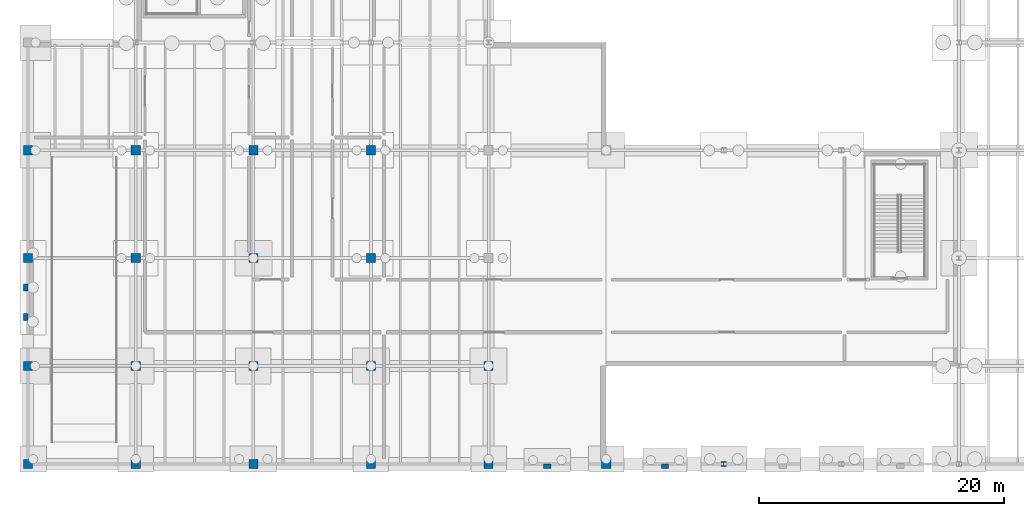
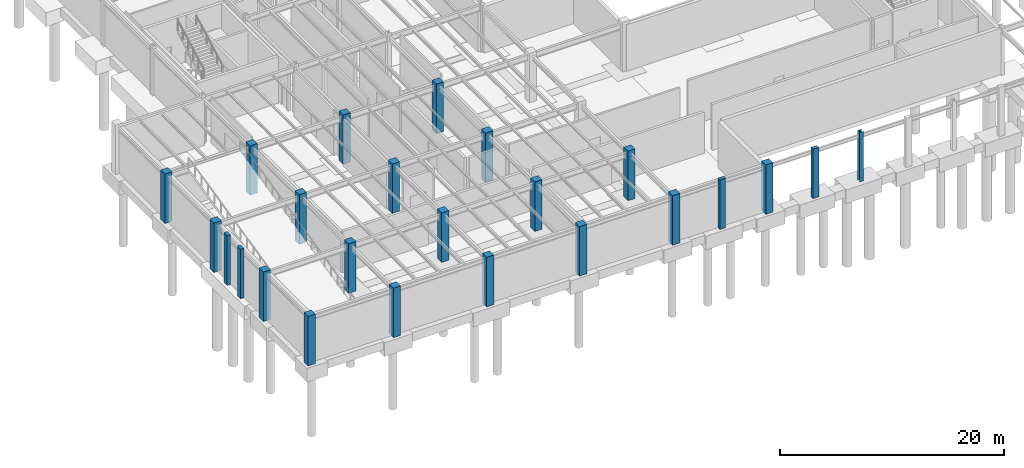
# One storey, part 6 of 48: 24 columns.
"""IFC4 building model written with IfcOpenShell, lengths in metres."""

from ifc_helpers import new_model, si_unit, direction, frame, origin, origin_2d, place, context, subcontext, project, spatial, rectangle, i_section, extrude, material, material_profile, profile_set, type_object, element, save


model = new_model("IFC4")

# Units and contexts
model_context = context("Model", 3, precision=1e-05, world=origin(), true_north=direction((0.0, 1.0)))
body_context = subcontext(model_context, "Body", "Model", "MODEL_VIEW")
ifc_project = project(units=[si_unit("LENGTHUNIT", "METRE"), si_unit("AREAUNIT", "SQUARE_METRE"), si_unit("VOLUMEUNIT", "CUBIC_METRE"), si_unit("PLANEANGLEUNIT", "RADIAN"), si_unit("MASSUNIT", "GRAM", prefix="KILO")], contexts=[model_context])

# Site, building, storey
site_placement = place(None, origin())
site = spatial("IfcSite", under=ifc_project, at=site_placement, CompositionType="ELEMENT")
building_placement = place(site_placement, origin())
building = spatial("IfcBuilding", under=site, at=building_placement, Name="Sarnbrook Museum", CompositionType="ELEMENT")
storey_placement = place(building_placement, frame((0.0, 0.0, -5.39990234375)))
storey = spatial("IfcBuildingStorey", under=building, at=storey_placement, Name="B1", CompositionType="ELEMENT", Elevation=-5.39990234375)

# Columns
ifc_material_1 = material(Name="Concrete N50 (AS 3600, f'c = 50 MPa)", Category="concrete")
ifc_material_profile_1 = material_profile(ifc_material_1, rectangle(XDim=0.75, YDim=0.75, at=origin_2d()), Name="RC 750x750")
ifc_profile_set_1 = profile_set([ifc_material_profile_1], Name="Concrete N50 (AS 3600, f'c = 50 MPa)")
column_type_1 = type_object("IfcColumnType", Name="COL-RC750", PredefinedType="COLUMN", material=ifc_profile_set_1)
for number, where, z_axis, x_axis, name in (
    (1, (4.800048828125, 4.800048828125, 0.0), (0.0, 0.0, 1.0), (1.0, 0.0, 0.0), "Column 1-A B1"),
    (2, (4.800048828125, 12.800048828125, 0.0), (0.0, 0.0, 1.0), (1.0, 0.0, 0.0), "Column 1-B B1"),
    (3, (4.800048828125, 21.60009765625, 0.0), (0.0, 0.0, 1.0), (1.0, 0.0, 0.0), "Column 1-C B1"),
    (4, (4.800048828125, 30.39990234375, 0.0), (0.0, 0.0, 1.0), (1.0, 0.0, 0.0), "Column 1-D B1"),
    (5, (13.60009765625, 4.800048828125, 0.0), (0.0, 0.0, 1.0), (1.0, 0.0, 0.0), "Column 2-A B1"),
    (6, (13.60009765625, 12.800048828125, 0.0), (0.0, 0.0, 1.0), (1.0, 0.0, 0.0), "Column 2-B B1"),
    (7, (13.60009765625, 21.60009765625, 0.0), (0.0, 0.0, 1.0), (1.0, 0.0, 0.0), "Column 2-C B1"),
    (8, (13.60009765625, 30.39990234375, 0.0), (0.0, 0.0, 1.0), (1.0, 0.0, 0.0), "Column 2-D B1"),
    (9, (23.199951171875, 4.800048828125, 0.0), (0.0, 0.0, 1.0), (1.0, 0.0, 0.0), "Column 3-A B1"),
    (10, (23.199951171875, 12.800048828125, 0.0), (0.0, 0.0, 1.0), (1.0, 0.0, 0.0), "Column 3-B B1"),
    (11, (23.199951171875, 21.60009765625, 0.0), (0.0, 0.0, 1.0), (1.0, 0.0, 0.0), "Column 3-C B1"),
    (12, (23.199951171875, 30.39990234375, 0.0), (0.0, 0.0, 1.0), (1.0, 0.0, 0.0), "Column 3-D B1"),
    (13, (32.800048828125, 4.800048828125, 0.0), (0.0, 0.0, 1.0), (1.0, 0.0, 0.0), "Column 4-A B1"),
    (14, (32.800048828125, 12.800048828125, 0.0), (0.0, 0.0, 1.0), (1.0, 0.0, 0.0), "Column 4-B B1"),
    (15, (32.800048828125, 21.60009765625, 0.0), (0.0, 0.0, 1.0), (1.0, 0.0, 0.0), "Column 4-C B1"),
    (16, (32.800048828125, 30.39990234375, 0.0), (0.0, 0.0, 1.0), (1.0, 0.0, 0.0), "Column 4-D B1"),
    (17, (42.39990234375, 4.800048828125, 0.0), (0.0, 0.0, 1.0), (1.0, 0.0, 0.0), "Column 5-A B1"),
    (18, (42.39990234375, 12.800048828125, 0.0), (0.0, 0.0, 1.0), (1.0, 0.0, 0.0), "Column 5-B B1"),
    (19, (52.0, 4.800048828125, 0.0), (0.0, 0.0, 1.0), (1.0, 0.0, 0.0), "Column 6-A B1"),
):
    element("IfcColumn", number, at=place(storey_placement, frame(where, z_axis=z_axis, x_axis=x_axis)), inside=storey, type_object=column_type_1, Name=name, PredefinedType="COLUMN", context=body_context, shape_type="SweptSolid", body=[
        extrude(rectangle(XDim=0.75, YDim=0.75, at=origin_2d()), origin(), (0.0, 0.0, 1.0), 5.39990234375),
    ])
ifc_material_2 = material(Name="Structural Steel Grade 350L0 (AS/NZS 3678, fy = 340 MPa for 20 < t <= 40 mm)", Category="steel")
ifc_material_profile_2 = material_profile(ifc_material_2, i_section(OverallWidth=0.39990234375, OverallDepth=0.382080078125, WebThickness=0.02490234375, FlangeThickness=0.035888671875, at=origin_2d()), Name="400WC270")
ifc_profile_set_2 = profile_set([ifc_material_profile_2], Name="Structural Steel Grade 350L0 (AS/NZS 3678, fy = 340 MPa for 20 < t <= 40 mm)")
column_type_2 = type_object("IfcColumnType", Name="COL-WC400", PredefinedType="COLUMN", material=ifc_profile_set_2)
column_placement = place(storey_placement, frame((61.60009765625, 4.800048828125, 0.0), z_axis=(0.0, 0.0, 1.0), x_axis=(1.0, 0.0, 0.0)))
element("IfcColumn", 20, at=column_placement, inside=storey, type_object=column_type_2, Name="Column 7-A B1", PredefinedType="COLUMN", context=body_context, shape_type="SweptSolid", body=[
    extrude(i_section(OverallWidth=0.39990234375, OverallDepth=0.382080078125, WebThickness=0.02490234375, FlangeThickness=0.035888671875, at=origin_2d()), origin(), (0.0, 0.0, 1.0), 5.39990234375),
])
ifc_material_3 = material(Name="Concrete N40 (AS 3600, f'c = 40 MPa)", Category="concrete")
ifc_material_profile_3 = material_profile(ifc_material_3, rectangle(XDim=0.60009765625, YDim=0.35009765625, at=origin_2d()), Name="PILASTER 600x350")
ifc_profile_set_3 = profile_set([ifc_material_profile_3], Name="Concrete N40 (AS 3600, f'c = 40 MPa)")
column_type_3 = type_object("IfcColumnType", Name="PIL-600x350", PredefinedType="PILASTER", material=ifc_profile_set_3)
for number, where, z_axis, x_axis, name in (
    (21, (47.199951171875, 4.6201171875, 0.0), (0.0, 0.0, 1.0), (1.0, 0.0, 0.0), "Sandstone Classical Pilaster P-S1 B1"),
    (22, (56.800048828125, 4.6201171875, 0.0), (0.0, 0.0, 1.0), (1.0, 0.0, 0.0), "Sandstone Classical Pilaster P-S2 B1"),
    (23, (4.6201171875, 16.800048828125, 0.0), (0.0, 0.0, 1.0), (0.0, 1.0, 0.0), "Sandstone Classical Pilaster P-W1 B1"),
    (24, (4.6201171875, 19.199951171875, 0.0), (0.0, 0.0, 1.0), (0.0, 1.0, 0.0), "Sandstone Classical Pilaster P-W2 B1"),
):
    element("IfcColumn", number, at=place(storey_placement, frame(where, z_axis=z_axis, x_axis=x_axis)), inside=storey, type_object=column_type_3, Name=name, PredefinedType="PILASTER", context=body_context, shape_type="SweptSolid", body=[
        extrude(rectangle(XDim=0.60009765625, YDim=0.35009765625, at=origin_2d()), origin(), (0.0, 0.0, 1.0), 5.39990234375),
    ])

save(model, "model.ifc")
